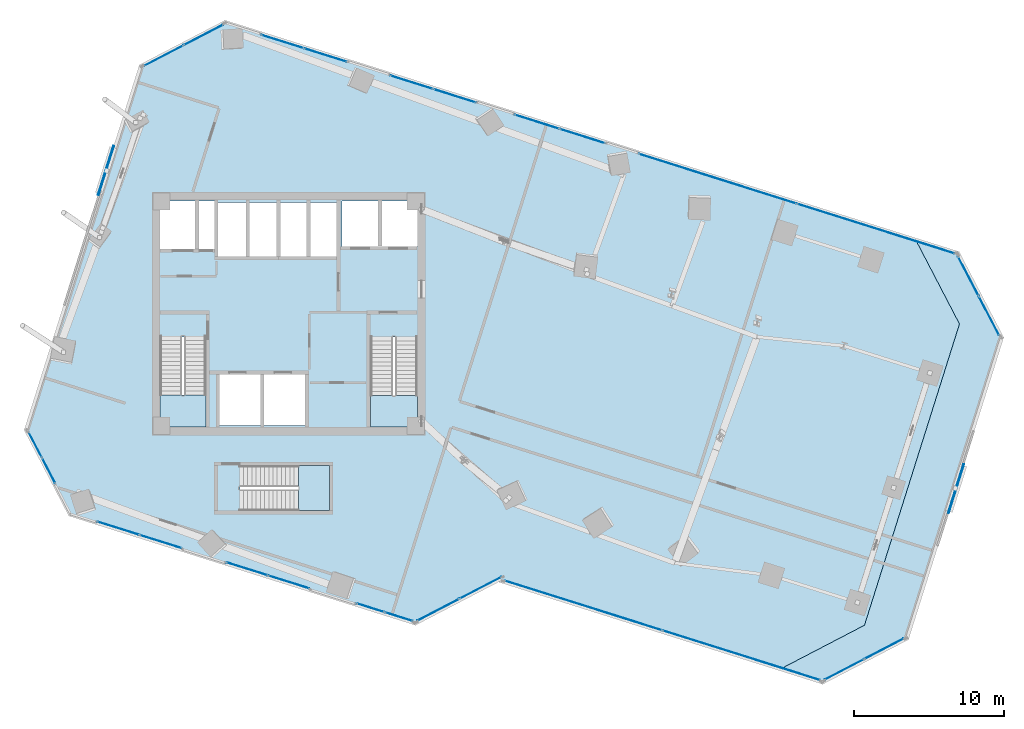
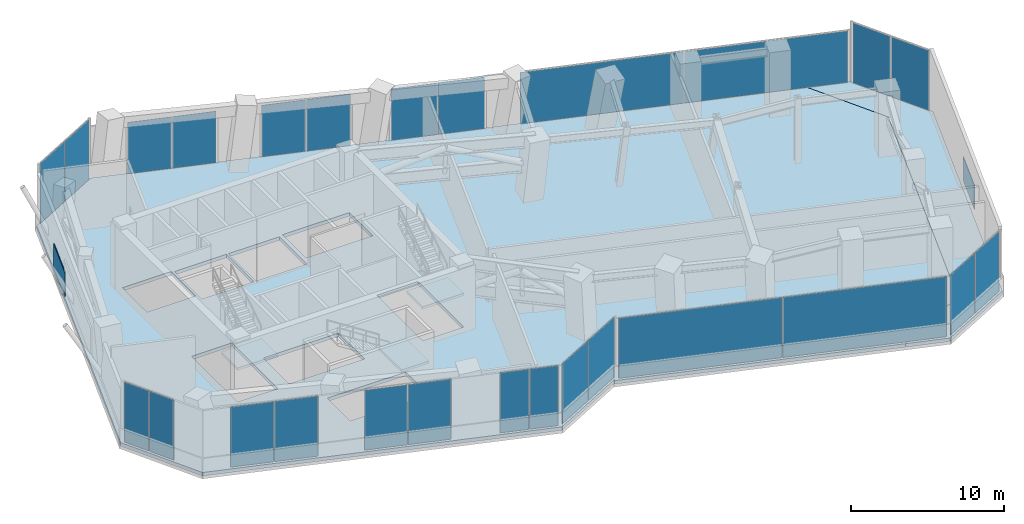
# One storey, part 21 of 29: 28 plates, 5 slabs, 16 elements without a shape of their own.
"""IFC4 building model written with IfcOpenShell, lengths in metres."""

from ifc_helpers import new_model, si_unit, direction, frame, origin, origin_2d, place, context, subcontext, project, spatial, polyline, rectangle, outline, extrude, source, transform, mapped, material, layer, layer_set, type_object, element, aggregate, save


model = new_model("IFC4")

# Units and contexts
model_context = context("Model", 3, precision=1e-05, world=origin(), true_north=direction((0.0, 1.0)))
body_context = subcontext(model_context, "Body", "Model", "MODEL_VIEW")
ifc_project = project(units=[si_unit("LENGTHUNIT", "METRE"), si_unit("AREAUNIT", "SQUARE_METRE"), si_unit("VOLUMEUNIT", "CUBIC_METRE"), si_unit("PLANEANGLEUNIT", "RADIAN"), si_unit("MASSUNIT", "GRAM", prefix="KILO")], contexts=[model_context])

# Site, building, storey
site_placement = place(None, origin())
site = spatial("IfcSite", under=ifc_project, at=site_placement, CompositionType="ELEMENT")
building_placement = place(site_placement, origin())
building = spatial("IfcBuilding", under=site, at=building_placement, Name="Torre Montelarca", CompositionType="ELEMENT")
storey_placement = place(building_placement, frame((0.0, 0.0, 122.199951171875)))
storey = spatial("IfcBuildingStorey", under=building, at=storey_placement, Name="L27", CompositionType="ELEMENT", Elevation=122.199951171875)

# Slabs
ifc_material_1 = material(Name="Concrete C40/50", Category="concrete")
ifc_layer_1 = layer(ifc_material_1, 0.280029296875, Name="Concrete C40/50", Category="concrete")
ifc_layer_set_1 = layer_set([ifc_layer_1], Name="Concrete C40/50")
slab_type_1 = type_object("IfcSlabType", Name="SL-FLR-280", PredefinedType="FLOOR", material=ifc_layer_set_1)
slab_1_placement = place(storey_placement, frame((0.0, 0.0, -0.280029296875)))
element("IfcSlab", 1, at=slab_1_placement, inside=storey, type_object=slab_type_1, Name="L27 Structural Floor Slab", PredefinedType="FLOOR", context=body_context, shape_type="SweptSolid", body=[
    extrude(outline(polyline([(26.422607421875, 11.36474609375), (32.067626953125, 14.30322265625), (32.03759765625, 14.207763671875), (50.635009765625, 8.343994140625), (56.27978515625, 11.28271484375), (62.5947265625, 31.310791015625), (59.65625, 36.95556640625), (13.782470703125, 51.41943359375), (8.137451171875, 48.48095703125), (0.49951171875, 24.256591796875), (3.43798828125, 18.61181640625), (26.422607421875, 11.36474609375)]), holes=[polyline([(20.699951171875, 18.89990234375), (14.760009765625, 18.89990234375), (14.760009765625, 21.889892578125), (20.699951171875, 21.889892578125), (20.699951171875, 18.89990234375)]), polyline([(19.10009765625, 24.550048828125), (13.39990234375, 24.550048828125), (13.39990234375, 27.949951171875), (19.10009765625, 27.949951171875), (19.10009765625, 24.550048828125)]), polyline([(23.43994140625, 24.449951171875), (23.43994140625, 30.429931640625), (26.550048828125, 30.429931640625), (26.550048828125, 24.449951171875), (23.43994140625, 24.449951171875)]), polyline([(9.449951171875, 24.449951171875), (9.449951171875, 30.4599609375), (12.5, 30.4599609375), (12.5, 24.449951171875), (9.449951171875, 24.449951171875)]), polyline([(17.25, 35.800048828125), (13.300048828125, 35.800048828125), (13.300048828125, 39.39990234375), (17.25, 39.39990234375), (17.25, 35.800048828125)]), polyline([(21.25, 35.800048828125), (17.39990234375, 35.800048828125), (17.39990234375, 39.39990234375), (21.25, 39.39990234375), (21.25, 35.800048828125)]), polyline([(13.1201171875, 36.300048828125), (9.449951171875, 36.300048828125), (9.449951171875, 39.5), (13.1201171875, 39.5), (13.1201171875, 36.300048828125)]), polyline([(26.60009765625, 36.449951171875), (21.550048828125, 36.449951171875), (21.550048828125, 39.5), (26.60009765625, 39.5), (26.60009765625, 36.449951171875)])]), origin(), (0.0, 0.0, 1.0), 0.280029296875),
])
slab_2_placement = place(storey_placement, frame((0.0, 0.0, -0.280029296875)))
element("IfcSlab", 2, at=slab_2_placement, inside=storey, type_object=slab_type_1, Name="L27 Sliding Tray Winter Garden Floor Slab E1", PredefinedType="FLOOR", context=body_context, shape_type="SweptSolid", body=[
    extrude(outline(polyline([(59.65625, 36.95556640625), (62.5947265625, 31.310791015625), (56.27978515625, 11.28271484375), (50.635009765625, 8.343994140625), (53.49609375, 7.44189453125), (59.14111328125, 10.380615234375), (65.455810546875, 30.40869140625), (62.517333984375, 36.053466796875), (59.65625, 36.95556640625)])), origin(), (0.0, 0.0, 1.0), 0.280029296875),
])

# Stair, slab
stair_type_1 = type_object("IfcStairType", Name="ST-CORE-ST1", PredefinedType="HALF_TURN_STAIR", material=ifc_material_1)
stair_1_placement = place(storey_placement, origin())
stair_1 = element("IfcStair", 3, at=stair_1_placement, inside=storey, type_object=stair_type_1, Name="L27 Protected Exit Stair ST1", PredefinedType="HALF_TURN_STAIR")
ifc_layer_2 = layer(ifc_material_1, 0.199951171875, Name="Concrete C40/50", Category="concrete")
ifc_layer_set_2 = layer_set([ifc_layer_2], Name="Concrete C40/50")
slab_type_2 = type_object("IfcSlabType", Name="SL-ST-LAND-ST1", PredefinedType="LANDING", material=ifc_layer_set_2)
slab_3_placement = place(storey_placement, frame((0.0, 0.0, 2.5)))
slab_3 = element("IfcSlab", 4, at=slab_3_placement, type_object=slab_type_2, Name="ST1 landing 1", PredefinedType="LANDING", context=body_context, shape_type="SweptSolid", body=[
    extrude(outline(polyline([(9.449951171875, 26.580078125), (9.449951171875, 24.449951171875), (12.5, 24.449951171875), (12.5, 26.580078125), (9.449951171875, 26.580078125)])), origin(), (0.0, 0.0, 1.0), 0.199951171875),
])
aggregate(stair_1, [slab_3])

stair_type_2 = type_object("IfcStairType", Name="ST-CORE-ST2", PredefinedType="HALF_TURN_STAIR", material=ifc_material_1)
stair_2_placement = place(storey_placement, origin())
stair_2 = element("IfcStair", 5, at=stair_2_placement, inside=storey, type_object=stair_type_2, Name="L27 Protected Exit Stair ST2", PredefinedType="HALF_TURN_STAIR")
ifc_layer_3 = layer(ifc_material_1, 0.199951171875, Name="Concrete C40/50", Category="concrete")
ifc_layer_set_3 = layer_set([ifc_layer_3], Name="Concrete C40/50")
slab_type_3 = type_object("IfcSlabType", Name="SL-ST-LAND-ST2", PredefinedType="LANDING", material=ifc_layer_set_3)
slab_4_placement = place(storey_placement, frame((0.0, 0.0, 2.5)))
slab_4 = element("IfcSlab", 6, at=slab_4_placement, type_object=slab_type_3, Name="ST2 landing 1", PredefinedType="LANDING", context=body_context, shape_type="SweptSolid", body=[
    extrude(outline(polyline([(23.43994140625, 26.550048828125), (23.43994140625, 24.449951171875), (26.550048828125, 24.449951171875), (26.550048828125, 26.550048828125), (23.43994140625, 26.550048828125)])), origin(), (0.0, 0.0, 1.0), 0.199951171875),
])
aggregate(stair_2, [slab_4])

stair_type_3 = type_object("IfcStairType", Name="ST-CORE-ST3", PredefinedType="HALF_TURN_STAIR", material=ifc_material_1)
stair_3_placement = place(storey_placement, origin())
stair_3 = element("IfcStair", 7, at=stair_3_placement, inside=storey, type_object=stair_type_3, Name="L27 Low-Rise Exit Stair ST3", PredefinedType="HALF_TURN_STAIR")
ifc_layer_4 = layer(ifc_material_1, 0.199951171875, Name="Concrete C40/50", Category="concrete")
ifc_layer_set_4 = layer_set([ifc_layer_4], Name="Concrete C40/50")
slab_type_4 = type_object("IfcSlabType", Name="SL-ST-LAND-ST3", PredefinedType="LANDING", material=ifc_layer_set_4)
slab_5_placement = place(storey_placement, frame((0.0, 0.0, 2.5)))
slab_5 = element("IfcSlab", 8, at=slab_5_placement, type_object=slab_type_4, Name="ST3 landing 1", PredefinedType="LANDING", context=body_context, shape_type="SweptSolid", body=[
    extrude(outline(polyline([(18.639892578125, 18.89990234375), (20.699951171875, 18.89990234375), (20.699951171875, 21.889892578125), (18.639892578125, 21.889892578125), (18.639892578125, 18.89990234375)])), origin(), (0.0, 0.0, 1.0), 0.199951171875),
])
aggregate(stair_3, [slab_5])

# Plates
ifc_material_2 = material(Name="Architectural perforated terracotta ceramic", Category="masonry")
ifc_layer_5 = layer(ifc_material_2, 0.074951171875, Name="Architectural perforated terracotta ceramic", Category="masonry")
ifc_layer_set_5 = layer_set([ifc_layer_5], Name="Architectural perforated terracotta ceramic")
plate_type_1 = type_object("IfcPlateType", Name="SCR-CER-75", PredefinedType="USERDEFINED", material=ifc_layer_set_5)
shared_shape_1 = source(origin(), body_context, "Body", "SweptSolid", [
    extrude(rectangle(XDim=3.39990234375, YDim=0.06005859375, at=origin_2d()), origin(), (0.0, 0.0, 1.0), 1.89990234375),
])
for number, where, z_axis, x_axis, name in (
    (9, (62.374755859375, 20.37060546875, 0.5), (0.0, 0.0, 1.0), (0.300709128603, 0.953715901081, 0.0), "L27 Perforated Ceramic Brise-Soleil Screen E6-1"),
    (10, (5.856201171875, 41.511962890625, 0.5), (0.0, 0.0, 1.0), (-0.300709128603, -0.953715901081, 0.0), "L27 Perforated Ceramic Brise-Soleil Screen E10-1"),
):
    element("IfcPlate", number, at=place(storey_placement, frame(where, z_axis=z_axis, x_axis=x_axis)), inside=storey, type_object=plate_type_1, Name=name, ObjectType="SOLAR SCREEN", PredefinedType="USERDEFINED", context=body_context, shape_type="MappedRepresentation", body=[
        mapped(shared_shape_1, transform((0.0, 0.0, 0.0), scale=1.0)),
    ])

# Curtain wall, plates
ifc_material_3 = material(Name="Insulated low-E laminated glass", Category="glass")
curtain_wall_type = type_object("IfcCurtainWallType", Name="CW-SYS-Z1", PredefinedType="USERDEFINED", material=ifc_material_3)
curtain_wall_1_placement = place(storey_placement, origin())
curtain_wall_1 = element("IfcCurtainWall", 11, at=curtain_wall_1_placement, inside=storey, type_object=curtain_wall_type, Name="L27 Curtain Wall Run CW-T3-L27-E01-B3", ObjectType="UNITISED GLAZING", PredefinedType="USERDEFINED")
ifc_layer_6 = layer(ifc_material_3, 0.028076171875, Name="Insulated low-E laminated glass", Category="glass")
ifc_layer_set_6 = layer_set([ifc_layer_6], Name="Insulated low-E laminated glass")
plate_type_2 = type_object("IfcPlateType", Name="CWP-GLZ-28", PredefinedType="CURTAIN_PANEL", material=ifc_layer_set_6)
shared_shape_2 = source(origin(), body_context, "Body", "SweptSolid", [
    extrude(rectangle(XDim=1.9169921875, YDim=0.028076171875, at=origin_2d()), origin(), (0.0, 0.0, 1.0), 4.7900390625),
])
plate_1_placement = place(storey_placement, frame((23.43701171875, 12.4423828125, 0.06494140625), z_axis=(0.0, 0.0, 1.0), x_axis=(0.953716855087, -0.300706102902, 0.0)))
plate_1 = element("IfcPlate", 12, at=plate_1_placement, type_object=plate_type_2, Name="CW panel 1.1", PredefinedType="CURTAIN_PANEL", context=body_context, shape_type="MappedRepresentation", body=[
    mapped(shared_shape_2, transform((0.0, 0.0, 0.0), scale=1.0)),
])
plate_2_placement = place(storey_placement, frame((25.327392578125, 11.846435546875, 0.06494140625), z_axis=(0.0, 0.0, 1.0), x_axis=(0.953716855087, -0.300706102902, 0.0)))
plate_2 = element("IfcPlate", 13, at=plate_2_placement, type_object=plate_type_2, Name="CW panel 2.1", PredefinedType="CURTAIN_PANEL", context=body_context, shape_type="MappedRepresentation", body=[
    mapped(shared_shape_2, transform((0.0, 0.0, 0.0), scale=1.0)),
])
aggregate(curtain_wall_1, [plate_1, plate_2])

curtain_wall_2_placement = place(storey_placement, origin())
curtain_wall_2 = element("IfcCurtainWall", 14, at=curtain_wall_2_placement, inside=storey, type_object=curtain_wall_type, Name="L27 Curtain Wall Run CW-T3-L27-E02-B1", ObjectType="UNITISED GLAZING", PredefinedType="USERDEFINED")
shared_shape_3 = source(origin(), body_context, "Body", "SweptSolid", [
    extrude(rectangle(XDim=3.1025390625, YDim=0.028076171875, at=origin_2d()), origin(), (0.0, 0.0, 1.0), 4.7900390625),
])
plate_3_placement = place(storey_placement, frame((27.943359375, 12.302978515625, 0.06494140625), z_axis=(0.0, 0.0, 1.0), x_axis=(0.887014618203, 0.461741342198, 0.0)))
plate_3 = element("IfcPlate", 15, at=plate_3_placement, type_object=plate_type_2, Name="CW panel 1.1", PredefinedType="CURTAIN_PANEL", context=body_context, shape_type="MappedRepresentation", body=[
    mapped(shared_shape_3, transform((0.0, 0.0, 0.0), scale=1.0)),
])
plate_4_placement = place(storey_placement, frame((30.7529296875, 13.765380859375, 0.06494140625), z_axis=(0.0, 0.0, 1.0), x_axis=(0.887014618203, 0.461741342198, 0.0)))
plate_4 = element("IfcPlate", 16, at=plate_4_placement, type_object=plate_type_2, Name="CW panel 2.1", PredefinedType="CURTAIN_PANEL", context=body_context, shape_type="MappedRepresentation", body=[
    mapped(shared_shape_3, transform((0.0, 0.0, 0.0), scale=1.0)),
])
aggregate(curtain_wall_2, [plate_3, plate_4])

curtain_wall_3_placement = place(storey_placement, origin())
curtain_wall_3 = element("IfcCurtainWall", 17, at=curtain_wall_3_placement, inside=storey, type_object=curtain_wall_type, Name="L27 Curtain Wall Run CW-T3-L27-E04-B1", ObjectType="UNITISED GLAZING", PredefinedType="USERDEFINED")
shared_shape_4 = source(origin(), body_context, "Body", "SweptSolid", [
    extrude(rectangle(XDim=10.948486328125, YDim=0.028076171875, at=origin_2d()), origin(), (0.0, 0.0, 1.0), 4.7900390625),
])
plate_5_placement = place(storey_placement, frame((37.59033203125, 12.59326171875, 0.06494140625), z_axis=(0.0, 0.0, 1.0), x_axis=(0.953718500235, -0.300700885116, 0.0)))
plate_5 = element("IfcPlate", 18, at=plate_5_placement, type_object=plate_type_2, Name="CW panel 1.1", PredefinedType="CURTAIN_PANEL", context=body_context, shape_type="MappedRepresentation", body=[
    mapped(shared_shape_4, transform((0.0, 0.0, 0.0), scale=1.0)),
])
plate_6_placement = place(storey_placement, frame((48.093994140625, 9.281494140625, 0.06494140625), z_axis=(0.0, 0.0, 1.0), x_axis=(0.953718500235, -0.300700885116, 0.0)))
plate_6 = element("IfcPlate", 19, at=plate_6_placement, type_object=plate_type_2, Name="CW panel 2.1", PredefinedType="CURTAIN_PANEL", context=body_context, shape_type="MappedRepresentation", body=[
    mapped(shared_shape_4, transform((0.0, 0.0, 0.0), scale=1.0)),
])
aggregate(curtain_wall_3, [plate_5, plate_6])

curtain_wall_4_placement = place(storey_placement, origin())
curtain_wall_4 = element("IfcCurtainWall", 20, at=curtain_wall_4_placement, inside=storey, type_object=curtain_wall_type, Name="L27 Curtain Wall Run CW-T3-L27-E05-B1", ObjectType="UNITISED GLAZING", PredefinedType="USERDEFINED")
shared_shape_5 = source(origin(), body_context, "Body", "SweptSolid", [
    extrude(rectangle(XDim=2.918701171875, YDim=0.028076171875, at=origin_2d()), origin(), (0.0, 0.0, 1.0), 4.7900390625),
])
plate_7_placement = place(storey_placement, frame((54.935302734375, 8.337646484375, 0.06494140625), z_axis=(0.0, 0.0, 1.0), x_axis=(0.887021029316, 0.461729026109, 0.0)))
plate_7 = element("IfcPlate", 21, at=plate_7_placement, type_object=plate_type_2, Name="CW panel 1.1", PredefinedType="CURTAIN_PANEL", context=body_context, shape_type="MappedRepresentation", body=[
    mapped(shared_shape_5, transform((0.0, 0.0, 0.0), scale=1.0)),
])
plate_8_placement = place(storey_placement, frame((57.581787109375, 9.71533203125, 0.06494140625), z_axis=(0.0, 0.0, 1.0), x_axis=(0.887021029316, 0.461729026109, 0.0)))
plate_8 = element("IfcPlate", 22, at=plate_8_placement, type_object=plate_type_2, Name="CW panel 2.1", PredefinedType="CURTAIN_PANEL", context=body_context, shape_type="MappedRepresentation", body=[
    mapped(shared_shape_5, transform((0.0, 0.0, 0.0), scale=1.0)),
])
aggregate(curtain_wall_4, [plate_7, plate_8])

curtain_wall_5_placement = place(storey_placement, origin())
curtain_wall_5 = element("IfcCurtainWall", 23, at=curtain_wall_5_placement, inside=storey, type_object=curtain_wall_type, Name="L27 Curtain Wall Run CW-T3-L27-E07-B1", ObjectType="UNITISED GLAZING", PredefinedType="USERDEFINED")
plate_9_placement = place(storey_placement, frame((64.56005859375, 31.84765625, 0.06494140625), z_axis=(0.0, 0.0, 1.0), x_axis=(-0.461742069139, 0.887014239788, 0.0)))
plate_9 = element("IfcPlate", 24, at=plate_9_placement, type_object=plate_type_2, Name="CW panel 1.1", PredefinedType="CURTAIN_PANEL", context=body_context, shape_type="MappedRepresentation", body=[
    mapped(shared_shape_5, transform((0.0, 0.0, 0.0), scale=1.0)),
])
plate_10_placement = place(storey_placement, frame((63.182373046875, 34.494384765625, 0.06494140625), z_axis=(0.0, 0.0, 1.0), x_axis=(-0.461742069139, 0.887014239788, 0.0)))
plate_10 = element("IfcPlate", 25, at=plate_10_placement, type_object=plate_type_2, Name="CW panel 2.1", PredefinedType="CURTAIN_PANEL", context=body_context, shape_type="MappedRepresentation", body=[
    mapped(shared_shape_5, transform((0.0, 0.0, 0.0), scale=1.0)),
])
aggregate(curtain_wall_5, [plate_9, plate_10])

curtain_wall_6_placement = place(storey_placement, origin())
curtain_wall_6 = element("IfcCurtainWall", 26, at=curtain_wall_6_placement, inside=storey, type_object=curtain_wall_type, Name="L27 Curtain Wall Run CW-T3-L27-E09-B1", ObjectType="UNITISED GLAZING", PredefinedType="USERDEFINED")
plate_11_placement = place(storey_placement, frame((12.34326171875, 50.523681640625, 0.06494140625), z_axis=(0.0, 0.0, 1.0), x_axis=(-0.887021029316, -0.461729026109, 0.0)))
plate_11 = element("IfcPlate", 27, at=plate_11_placement, type_object=plate_type_2, Name="CW panel 1.1", PredefinedType="CURTAIN_PANEL", context=body_context, shape_type="MappedRepresentation", body=[
    mapped(shared_shape_5, transform((0.0, 0.0, 0.0), scale=1.0)),
])
plate_12_placement = place(storey_placement, frame((9.69677734375, 49.146240234375, 0.06494140625), z_axis=(0.0, 0.0, 1.0), x_axis=(-0.887021029316, -0.461729026109, 0.0)))
plate_12 = element("IfcPlate", 28, at=plate_12_placement, type_object=plate_type_2, Name="CW panel 2.1", PredefinedType="CURTAIN_PANEL", context=body_context, shape_type="MappedRepresentation", body=[
    mapped(shared_shape_5, transform((0.0, 0.0, 0.0), scale=1.0)),
])
aggregate(curtain_wall_6, [plate_11, plate_12])

curtain_wall_7_placement = place(storey_placement, origin())
curtain_wall_7 = element("IfcCurtainWall", 29, at=curtain_wall_7_placement, inside=storey, type_object=curtain_wall_type, Name="L27 Curtain Wall Run CW-T3-L27-E01-B1", ObjectType="UNITISED GLAZING", PredefinedType="USERDEFINED")
shared_shape_6 = source(origin(), body_context, "Body", "SweptSolid", [
    extrude(rectangle(XDim=2.89892578125, YDim=0.028076171875, at=origin_2d()), origin(), (0.0, 0.0, 1.0), 4.7900390625),
])
plate_13_placement = place(storey_placement, frame((6.6669921875, 17.72998046875, 0.06494140625), z_axis=(0.0, 0.0, 1.0), x_axis=(0.953719500703, -0.300697711961, 0.0)))
plate_13 = element("IfcPlate", 30, at=plate_13_placement, type_object=plate_type_2, Name="CW panel 1.1", PredefinedType="CURTAIN_PANEL", context=body_context, shape_type="MappedRepresentation", body=[
    mapped(shared_shape_6, transform((0.0, 0.0, 0.0), scale=1.0)),
])
plate_14_placement = place(storey_placement, frame((9.493896484375, 16.838623046875, 0.06494140625), z_axis=(0.0, 0.0, 1.0), x_axis=(0.953719500703, -0.300697711961, 0.0)))
plate_14 = element("IfcPlate", 31, at=plate_14_placement, type_object=plate_type_2, Name="CW panel 2.1", PredefinedType="CURTAIN_PANEL", context=body_context, shape_type="MappedRepresentation", body=[
    mapped(shared_shape_6, transform((0.0, 0.0, 0.0), scale=1.0)),
])
aggregate(curtain_wall_7, [plate_13, plate_14])

curtain_wall_8_placement = place(storey_placement, origin())
curtain_wall_8 = element("IfcCurtainWall", 32, at=curtain_wall_8_placement, inside=storey, type_object=curtain_wall_type, Name="L27 Curtain Wall Run CW-T3-L27-E01-B2", ObjectType="UNITISED GLAZING", PredefinedType="USERDEFINED")
shared_shape_7 = source(origin(), body_context, "Body", "SweptSolid", [
    extrude(rectangle(XDim=2.857177734375, YDim=0.028076171875, at=origin_2d()), origin(), (0.0, 0.0, 1.0), 4.7900390625),
])
plate_15_placement = place(storey_placement, frame((15.23046875, 15.02978515625, 0.06494140625), z_axis=(0.0, 0.0, 1.0), x_axis=(0.953718114207, -0.300702109461, 0.0)))
plate_15 = element("IfcPlate", 33, at=plate_15_placement, type_object=plate_type_2, Name="CW panel 1.1", PredefinedType="CURTAIN_PANEL", context=body_context, shape_type="MappedRepresentation", body=[
    mapped(shared_shape_7, transform((0.0, 0.0, 0.0), scale=1.0)),
])
plate_16_placement = place(storey_placement, frame((18.017578125, 14.151123046875, 0.06494140625), z_axis=(0.0, 0.0, 1.0), x_axis=(0.953718114207, -0.300702109461, 0.0)))
plate_16 = element("IfcPlate", 34, at=plate_16_placement, type_object=plate_type_2, Name="CW panel 2.1", PredefinedType="CURTAIN_PANEL", context=body_context, shape_type="MappedRepresentation", body=[
    mapped(shared_shape_7, transform((0.0, 0.0, 0.0), scale=1.0)),
])
aggregate(curtain_wall_8, [plate_15, plate_16])

curtain_wall_9_placement = place(storey_placement, origin())
curtain_wall_9 = element("IfcCurtainWall", 35, at=curtain_wall_9_placement, inside=storey, type_object=curtain_wall_type, Name="L27 Curtain Wall Run CW-T3-L27-E08-B1", ObjectType="UNITISED GLAZING", PredefinedType="USERDEFINED")
shared_shape_8 = source(origin(), body_context, "Body", "SweptSolid", [
    extrude(rectangle(XDim=10.95458984375, YDim=0.028076171875, at=origin_2d()), origin(), (0.0, 0.0, 1.0), 4.10498046875),
])
plate_17_placement = place(storey_placement, frame((57.034423828125, 37.64599609375, 0.06494140625), z_axis=(0.0, 0.0, 1.0), x_axis=(-0.953717947538, 0.300702638073, 0.0)))
plate_17 = element("IfcPlate", 36, at=plate_17_placement, type_object=plate_type_2, Name="CW panel 1.1", PredefinedType="CURTAIN_PANEL", context=body_context, shape_type="MappedRepresentation", body=[
    mapped(shared_shape_8, transform((0.0, 0.0, 0.0), scale=1.0)),
])
plate_18_placement = place(storey_placement, frame((46.524658203125, 40.959716796875, 0.06494140625), z_axis=(0.0, 0.0, 1.0), x_axis=(-0.953717947538, 0.300702638073, 0.0)))
plate_18 = element("IfcPlate", 37, at=plate_18_placement, type_object=plate_type_2, Name="CW panel 2.1", PredefinedType="CURTAIN_PANEL", context=body_context, shape_type="MappedRepresentation", body=[
    mapped(shared_shape_8, transform((0.0, 0.0, 0.0), scale=1.0)),
])
aggregate(curtain_wall_9, [plate_17, plate_18])

curtain_wall_10_placement = place(storey_placement, origin())
curtain_wall_10 = element("IfcCurtainWall", 38, at=curtain_wall_10_placement, inside=storey, type_object=curtain_wall_type, Name="L27 Curtain Wall Run CW-T3-L27-E08-B2", ObjectType="UNITISED GLAZING", PredefinedType="USERDEFINED")
shared_shape_9 = source(origin(), body_context, "Body", "SweptSolid", [
    extrude(rectangle(XDim=3.108642578125, YDim=0.028076171875, at=origin_2d()), origin(), (0.0, 0.0, 1.0), 4.10498046875),
])
plate_19_placement = place(storey_placement, frame((37.5390625, 43.792724609375, 0.06494140625), z_axis=(0.0, 0.0, 1.0), x_axis=(-0.953715976332, 0.30070888994, 0.0)))
plate_19 = element("IfcPlate", 39, at=plate_19_placement, type_object=plate_type_2, Name="CW panel 1.1", PredefinedType="CURTAIN_PANEL", context=body_context, shape_type="MappedRepresentation", body=[
    mapped(shared_shape_9, transform((0.0, 0.0, 0.0), scale=1.0)),
])
plate_20_placement = place(storey_placement, frame((34.512451171875, 44.7470703125, 0.06494140625), z_axis=(0.0, 0.0, 1.0), x_axis=(-0.953715976332, 0.30070888994, 0.0)))
plate_20 = element("IfcPlate", 40, at=plate_20_placement, type_object=plate_type_2, Name="CW panel 2.1", PredefinedType="CURTAIN_PANEL", context=body_context, shape_type="MappedRepresentation", body=[
    mapped(shared_shape_9, transform((0.0, 0.0, 0.0), scale=1.0)),
])
aggregate(curtain_wall_10, [plate_19, plate_20])

curtain_wall_11_placement = place(storey_placement, origin())
curtain_wall_11 = element("IfcCurtainWall", 41, at=curtain_wall_11_placement, inside=storey, type_object=curtain_wall_type, Name="L27 Curtain Wall Run CW-T3-L27-E08-B3", ObjectType="UNITISED GLAZING", PredefinedType="USERDEFINED")
shared_shape_10 = source(origin(), body_context, "Body", "SweptSolid", [
    extrude(rectangle(XDim=2.9404296875, YDim=0.028076171875, at=origin_2d()), origin(), (0.0, 0.0, 1.0), 4.10498046875),
])
plate_21_placement = place(storey_placement, frame((29.035888671875, 46.473876953125, 0.06494140625), z_axis=(0.0, 0.0, 1.0), x_axis=(-0.953713663677, 0.300716224564, 0.0)))
plate_21 = element("IfcPlate", 42, at=plate_21_placement, type_object=plate_type_2, Name="CW panel 1.1", PredefinedType="CURTAIN_PANEL", context=body_context, shape_type="MappedRepresentation", body=[
    mapped(shared_shape_10, transform((0.0, 0.0, 0.0), scale=1.0)),
])
plate_22_placement = place(storey_placement, frame((26.169677734375, 47.37744140625, 0.06494140625), z_axis=(0.0, 0.0, 1.0), x_axis=(-0.953713663677, 0.300716224564, 0.0)))
plate_22 = element("IfcPlate", 43, at=plate_22_placement, type_object=plate_type_2, Name="CW panel 2.1", PredefinedType="CURTAIN_PANEL", context=body_context, shape_type="MappedRepresentation", body=[
    mapped(shared_shape_10, transform((0.0, 0.0, 0.0), scale=1.0)),
])
aggregate(curtain_wall_11, [plate_21, plate_22])

curtain_wall_12_placement = place(storey_placement, origin())
curtain_wall_12 = element("IfcCurtainWall", 44, at=curtain_wall_12_placement, inside=storey, type_object=curtain_wall_type, Name="L27 Curtain Wall Run CW-T3-L27-E08-B4", ObjectType="UNITISED GLAZING", PredefinedType="USERDEFINED")
shared_shape_11 = source(origin(), body_context, "Body", "SweptSolid", [
    extrude(rectangle(XDim=2.93603515625, YDim=0.028076171875, at=origin_2d()), origin(), (0.0, 0.0, 1.0), 4.10498046875),
])
plate_23_placement = place(storey_placement, frame((20.45458984375, 49.179443359375, 0.06494140625), z_axis=(0.0, 0.0, 1.0), x_axis=(-0.953720563928, 0.300694339721, 0.0)))
plate_23 = element("IfcPlate", 45, at=plate_23_placement, type_object=plate_type_2, Name="CW panel 1.1", PredefinedType="CURTAIN_PANEL", context=body_context, shape_type="MappedRepresentation", body=[
    mapped(shared_shape_11, transform((0.0, 0.0, 0.0), scale=1.0)),
])
plate_24_placement = place(storey_placement, frame((17.59228515625, 50.08203125, 0.06494140625), z_axis=(0.0, 0.0, 1.0), x_axis=(-0.953720563928, 0.300694339721, 0.0)))
plate_24 = element("IfcPlate", 46, at=plate_24_placement, type_object=plate_type_2, Name="CW panel 2.1", PredefinedType="CURTAIN_PANEL", context=body_context, shape_type="MappedRepresentation", body=[
    mapped(shared_shape_11, transform((0.0, 0.0, 0.0), scale=1.0)),
])
aggregate(curtain_wall_12, [plate_23, plate_24])

curtain_wall_13_placement = place(storey_placement, origin())
curtain_wall_13 = element("IfcCurtainWall", 47, at=curtain_wall_13_placement, inside=storey, type_object=curtain_wall_type, Name="L27 Curtain Wall Run CW-T3-L27-E11-B1", ObjectType="UNITISED GLAZING", PredefinedType="USERDEFINED")
shared_shape_12 = source(origin(), body_context, "Body", "SweptSolid", [
    extrude(rectangle(XDim=1.870849609375, YDim=0.028076171875, at=origin_2d()), origin(), (0.0, 0.0, 1.0), 4.7900390625),
])
plate_25_placement = place(storey_placement, frame((1.1533203125, 23.2822265625, 0.06494140625), z_axis=(0.0, 0.0, 1.0), x_axis=(0.461734184563, -0.88701834412, 0.0)))
plate_25 = element("IfcPlate", 48, at=plate_25_placement, type_object=plate_type_2, Name="CW panel 1.1", PredefinedType="CURTAIN_PANEL", context=body_context, shape_type="MappedRepresentation", body=[
    mapped(shared_shape_12, transform((0.0, 0.0, 0.0), scale=1.0)),
])
plate_26_placement = place(storey_placement, frame((2.04736328125, 21.56494140625, 0.06494140625), z_axis=(0.0, 0.0, 1.0), x_axis=(0.461734184563, -0.88701834412, 0.0)))
plate_26 = element("IfcPlate", 49, at=plate_26_placement, type_object=plate_type_2, Name="CW panel 2.1", PredefinedType="CURTAIN_PANEL", context=body_context, shape_type="MappedRepresentation", body=[
    mapped(shared_shape_12, transform((0.0, 0.0, 0.0), scale=1.0)),
])
aggregate(curtain_wall_13, [plate_25, plate_26])

save(model, "model.ifc")
